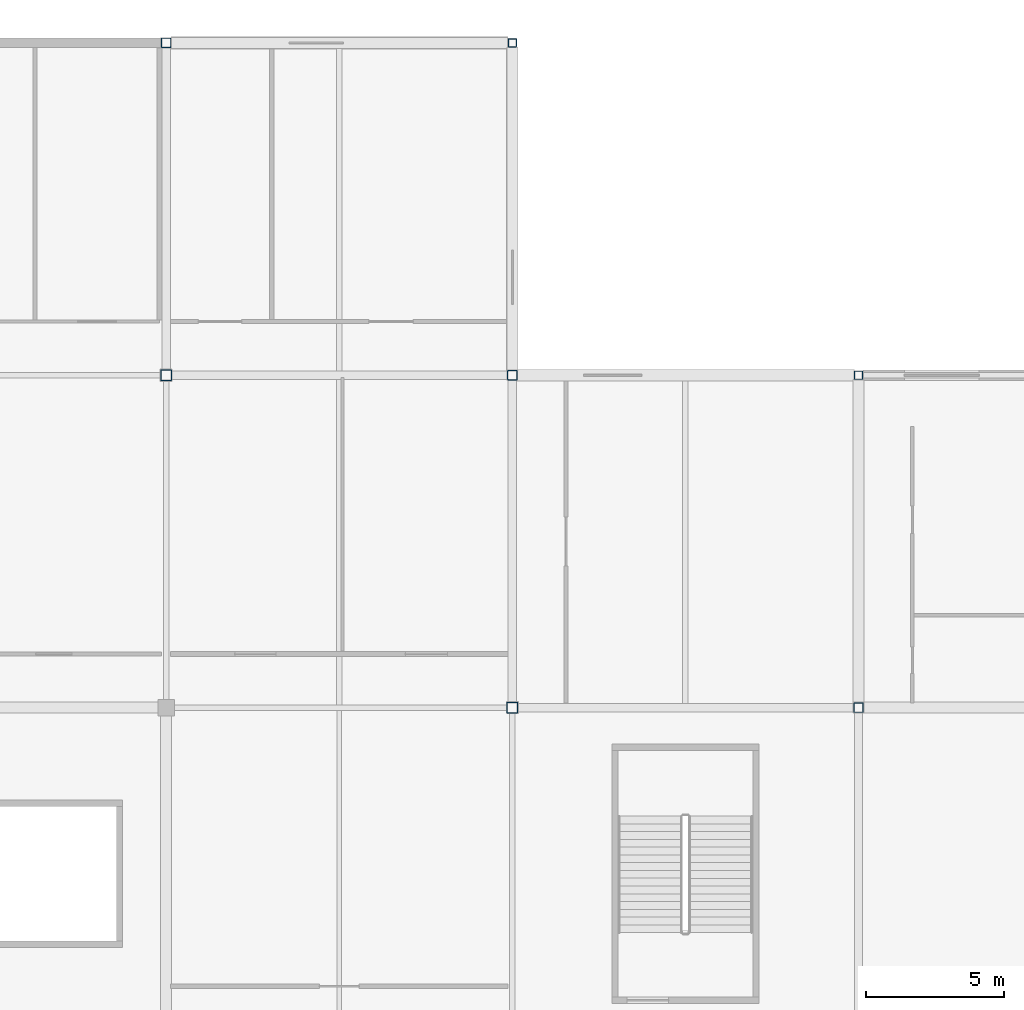
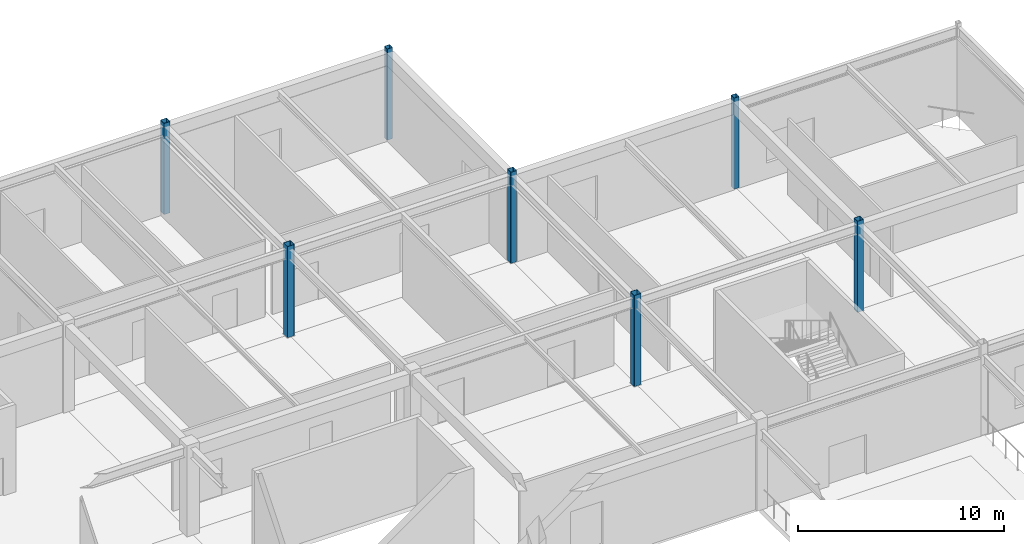
# One storey, part 24 of 105: 7 columns.
"""IFC4 building model written with IfcOpenShell, lengths in metres."""

import ifcopenshell
import ifcopenshell.guid

model = None  # the IFC model being written
_history = None  # IfcOwnerHistory: only IFC2X3 demands one
_inside = {}  # id of a spatial element -> (the spatial element, [elements in it])
_under = {}  # id of a project, library or spatial element -> (it, [spatial elements below it])
_declared = {}  # id of a project -> (the project, [libraries it declares])
_typed = {}  # id of a type object -> (the type object, [elements of that type])
_made_of = {}  # id of a material, layer set ... -> (it, [elements and type objects made of it])


def new_model(schema):
    """Start an empty IFC model of exactly this schema.

    Asked for "IFC4X3", IfcOpenShell would pick the latest addendum, in which some entities
    have other attributes; the version numbers below select the first issue.
    IFC2X3 requires an IfcOwnerHistory on every rooted entity: one is made here for all.
    """
    global model, _history
    if schema == "IFC4X3":
        model = ifcopenshell.file(schema_version=(4, 3, 0, 0))
    else:
        model = ifcopenshell.file(schema=schema)
    _inside.clear()
    _under.clear()
    _declared.clear()
    _typed.clear()
    _made_of.clear()
    _history = None
    if model.schema == "IFC2X3":
        org = make("IfcOrganization", Name="unknown")
        user = make(
            "IfcPersonAndOrganization",
            ThePerson=make("IfcPerson", FamilyName="unknown"),
            TheOrganization=org,
        )
        app = make(
            "IfcApplication",
            ApplicationDeveloper=org,
            Version="unknown",
            ApplicationFullName="unknown",
            ApplicationIdentifier="unknown",
        )
        _history = make(
            "IfcOwnerHistory",
            OwningUser=user,
            OwningApplication=app,
            ChangeAction="ADDED",
            CreationDate=0,
        )
    return model


def make(cls, **values):
    """One entity of the class cls with the attributes given. An attribute that is None is left unset."""
    return model.create_entity(
        cls, **{name: value for name, value in values.items() if value is not None}
    )


def rooted(cls, **values):
    """An entity with a GlobalId (a new one), such as an element, a storey or a relation."""
    return make(cls, GlobalId=ifcopenshell.guid.new(), OwnerHistory=_history, **values)


def si_unit(unit_type, name, prefix=None):
    """IfcSIUnit, for example si_unit("LENGTHUNIT", "METRE", prefix="MILLI")."""
    return make("IfcSIUnit", UnitType=unit_type, Prefix=prefix, Name=name)


def assignment(units):
    """IfcUnitAssignment: the units of a project."""
    return None if units is None else make("IfcUnitAssignment", Units=units)


def point(xyz):
    """IfcCartesianPoint."""
    return None if xyz is None else make("IfcCartesianPoint", Coordinates=xyz)


def direction(xyz):
    """IfcDirection."""
    return None if xyz is None else make("IfcDirection", DirectionRatios=xyz)


def frame(location, z_axis=None, x_axis=None):
    """IfcAxis2Placement3D, a coordinate frame: its origin and axes. An axis left out is left unset."""
    return make(
        "IfcAxis2Placement3D",
        Location=point(location),
        Axis=direction(z_axis),
        RefDirection=direction(x_axis),
    )


def frame_2d(location, x_axis=None):
    """IfcAxis2Placement2D, a coordinate frame in the plane: its origin and x axis."""
    return make(
        "IfcAxis2Placement2D", Location=point(location), RefDirection=direction(x_axis)
    )


def origin():
    """The frame at (0, 0, 0) with its axes left unset."""
    return frame((0.0, 0.0, 0.0))


def origin_2d():
    """The frame at (0, 0) in the plane with its x axis left unset."""
    return frame_2d((0.0, 0.0))


def place(relative_to, where):
    """IfcLocalPlacement: puts the frame where relative to a parent placement (None: the world)."""
    return make(
        "IfcLocalPlacement", PlacementRelTo=relative_to, RelativePlacement=where
    )


def context(
    kind, dimensions, precision=None, world=None, true_north=None, identifier=None
):
    """IfcGeometricRepresentationContext, for example the 3D "Model" context."""
    return make(
        "IfcGeometricRepresentationContext",
        ContextIdentifier=identifier,
        ContextType=kind,
        CoordinateSpaceDimension=dimensions,
        Precision=precision,
        WorldCoordinateSystem=world,
        TrueNorth=true_north,
    )


def subcontext(parent, identifier, kind, view, scale=None):
    """IfcGeometricRepresentationSubContext, for example "Body" below "Model"."""
    return make(
        "IfcGeometricRepresentationSubContext",
        ContextIdentifier=identifier,
        ContextType=kind,
        ParentContext=parent,
        TargetScale=scale,
        TargetView=view,
    )


def project(units=None, contexts=None):
    """IfcProject with its units and contexts."""
    return rooted(
        "IfcProject",
        Name="project",
        RepresentationContexts=contexts,
        UnitsInContext=assignment(units),
    )


def spatial(cls, under=None, at=None, **own):
    """A site, building, storey or space (cls), placed at a placement, below another one or the project."""
    s = rooted(cls, ObjectPlacement=at, **own)
    if under is not None:
        _under.setdefault(under.id(), (under, []))[1].append(s)
    return s


def profile(cls, at=None, kind="AREA", **sizes):
    """A parametric profile (cls). Its sizes go by their IFC names, for example OverallWidth=200.0."""
    return make(cls, ProfileType=kind, Position=at, **sizes)


def hollow_rectangle(**sizes):
    """IfcRectangleHollowProfileDef."""
    return profile("IfcRectangleHollowProfileDef", **sizes)


def extrude(swept, where, along, depth):
    """IfcExtrudedAreaSolid: the profile swept, set in the frame where, extruded along a direction by depth."""
    return make(
        "IfcExtrudedAreaSolid",
        SweptArea=swept,
        Position=where,
        ExtrudedDirection=direction(along),
        Depth=depth,
    )


def shape(context_of_items, identifier, shape_type, items):
    """IfcShapeRepresentation: the items that make up one representation, for example the "Body"."""
    return make(
        "IfcShapeRepresentation",
        ContextOfItems=context_of_items,
        RepresentationIdentifier=identifier,
        RepresentationType=shape_type,
        Items=items,
    )


def material(Name=None, Category=None):
    """IfcMaterial."""
    return make("IfcMaterial", Name=Name, Category=Category)


def material_profile(
    of_material, cross_section, Name=None, Category=None, Priority=None
):
    """IfcMaterialProfile: a cross section and its material."""
    return make(
        "IfcMaterialProfile",
        Name=Name,
        Material=of_material,
        Profile=cross_section,
        Priority=Priority,
        Category=Category,
    )


def profile_set(profiles, Name=None, composite=None):
    """IfcMaterialProfileSet."""
    return make(
        "IfcMaterialProfileSet",
        Name=Name,
        MaterialProfiles=profiles,
        CompositeProfile=composite,
    )


def made_of(thing, what):
    """Note that an element or type object is made of a material, layer set ...; save() writes the relation."""
    if what is not None:
        _made_of.setdefault(what.id(), (what, []))[1].append(thing)
    return thing


def type_object(cls, material=None, **own):
    """A type object (cls), such as IfcWallType, which elements share."""
    return made_of(rooted(cls, **own), material)


def element(
    cls,
    number,
    at=None,
    inside=None,
    cuts=None,
    type_object=None,
    material=None,
    context=None,
    identifier="Body",
    shape_type=None,
    held_by="IfcProductDefinitionShape",
    body=None,
    shapes=None,
    **own,
):
    """One element of the class cls, such as IfcWall. Its Tag is "e" and its number.

    at: its placement. inside: the storey or other place that contains it. cuts: it is an
    opening in that element (IfcRelVoidsElement). A single representation is given by context,
    identifier, shape_type and body (its items); several are given by shapes. held_by: the class
    of the entity that holds the representations. save() writes the other relations.
    """
    e = rooted(cls, Tag="e%d" % number, ObjectPlacement=at, **own)
    if body is not None:
        shapes = [shape(context, identifier, shape_type, body)]
    if shapes is not None:
        e.Representation = make(held_by, Representations=shapes)
    if inside is not None:
        _inside.setdefault(inside.id(), (inside, []))[1].append(e)
    if cuts is not None:
        rooted(
            "IfcRelVoidsElement", RelatingBuildingElement=cuts, RelatedOpeningElement=e
        )
    if type_object is not None:
        _typed.setdefault(type_object.id(), (type_object, []))[1].append(e)
    return made_of(e, material)


def aggregate(whole, parts):
    """IfcRelAggregates: a whole, such as a stair, and the parts it consists of."""
    return rooted("IfcRelAggregates", RelatingObject=whole, RelatedObjects=parts)


def save(model, path):
    """Write the relations noted so far, then the file.

    IfcRelAggregates (storeys below a building ...), IfcRelContainedInSpatialStructure (elements
    in a storey), IfcRelDefinesByType, IfcRelAssociatesMaterial and IfcRelDeclares: one each for
    every whole, place, type object, material and project.
    """
    for whole, parts in _under.values():
        aggregate(whole, parts)
    for where, things in _inside.values():
        rooted(
            "IfcRelContainedInSpatialStructure",
            RelatedElements=things,
            RelatingStructure=where,
        )
    for kind, things in _typed.values():
        rooted("IfcRelDefinesByType", RelatedObjects=things, RelatingType=kind)
    for what, things in _made_of.values():
        rooted("IfcRelAssociatesMaterial", RelatedObjects=things, RelatingMaterial=what)
    for by, libraries in _declared.values():
        rooted("IfcRelDeclares", RelatingContext=by, RelatedDefinitions=libraries)
    model.write(path)


model = new_model("IFC4")

# Units and contexts
model_context = context("Model", 3, precision=1e-05, world=origin(), true_north=direction((0.0, 1.0)))
body_context = subcontext(model_context, "Body", "Model", "MODEL_VIEW")
ifc_project = project(units=[si_unit("LENGTHUNIT", "METRE"), si_unit("AREAUNIT", "SQUARE_METRE"), si_unit("VOLUMEUNIT", "CUBIC_METRE"), si_unit("PLANEANGLEUNIT", "RADIAN"), si_unit("MASSUNIT", "GRAM", prefix="KILO")], contexts=[model_context])

# Site, building, storey
site_placement = place(None, origin())
site = spatial("IfcSite", under=ifc_project, at=site_placement, CompositionType="ELEMENT")
building_placement = place(site_placement, origin())
building = spatial("IfcBuilding", under=site, at=building_placement, Name="Kazenohara Klinker Stadium", CompositionType="ELEMENT")
storey_placement = place(building_placement, frame((0.0, 0.0, 20.39990234375)))
storey = spatial("IfcBuildingStorey", under=building, at=storey_placement, Name="L04", CompositionType="ELEMENT", Elevation=20.39990234375)

# Columns
ifc_material = material(Name="Steel S355", Category="steel")
ifc_material_profile_1 = material_profile(ifc_material, hollow_rectangle(XDim=0.39990234375, YDim=0.39990234375, WallThickness=0.01611328125, InnerFilletRadius=0.01611328125, OuterFilletRadius=0.031982421875, at=origin_2d()), Name="SHS-400x400x16")
ifc_profile_set_1 = profile_set([ifc_material_profile_1], Name="Steel S355")
column_type_1 = type_object("IfcColumnType", Name="COL-ST01", PredefinedType="COLUMN", material=ifc_profile_set_1)
for number, where, z_axis, x_axis, name in (
    (1, (162.5, 156.0, 0.0), (0.0, 0.0, 1.0), (1.0, 0.0, 0.0), "Column SC01 L04 14/P"),
    (2, (175.0, 144.0, 0.0), (0.0, 0.0, 1.0), (1.0, 0.0, 0.0), "Column SC01 L04 15/N"),
):
    element("IfcColumn", number, at=place(storey_placement, frame(where, z_axis=z_axis, x_axis=x_axis)), inside=storey, type_object=column_type_1, Name=name, PredefinedType="COLUMN", context=body_context, shape_type="SweptSolid", body=[
        extrude(hollow_rectangle(XDim=0.39990234375, YDim=0.39990234375, WallThickness=0.01611328125, InnerFilletRadius=0.01611328125, OuterFilletRadius=0.031982421875, at=origin_2d()), origin(), (0.0, 0.0, 1.0), 5.400146484375),
    ])
ifc_material_profile_2 = material_profile(ifc_material, hollow_rectangle(XDim=0.35009765625, YDim=0.35009765625, WallThickness=0.01611328125, InnerFilletRadius=0.01611328125, OuterFilletRadius=0.031982421875, at=origin_2d()), Name="SHS-350x350x16")
ifc_profile_set_2 = profile_set([ifc_material_profile_2], Name="Steel S355")
column_type_2 = type_object("IfcColumnType", Name="COL-ST02", PredefinedType="COLUMN", material=ifc_profile_set_2)
for number, where, z_axis, x_axis, name in (
    (3, (162.5, 168.0, 0.0), (0.0, 0.0, 1.0), (1.0, 0.0, 0.0), "Column SC02 L04 14/Q"),
    (4, (175.0, 156.0, 0.0), (0.0, 0.0, 1.0), (1.0, 0.0, 0.0), "Column SC02 L04 15/P"),
    (5, (187.5, 144.0, 0.0), (0.0, 0.0, 1.0), (1.0, 0.0, 0.0), "Column SC02 L04 16/N"),
):
    element("IfcColumn", number, at=place(storey_placement, frame(where, z_axis=z_axis, x_axis=x_axis)), inside=storey, type_object=column_type_2, Name=name, PredefinedType="COLUMN", context=body_context, shape_type="SweptSolid", body=[
        extrude(hollow_rectangle(XDim=0.35009765625, YDim=0.35009765625, WallThickness=0.01611328125, InnerFilletRadius=0.01611328125, OuterFilletRadius=0.031982421875, at=origin_2d()), origin(), (0.0, 0.0, 1.0), 5.400146484375),
    ])
ifc_material_profile_3 = material_profile(ifc_material, hollow_rectangle(XDim=0.300048828125, YDim=0.300048828125, WallThickness=0.011962890625, InnerFilletRadius=0.011962890625, OuterFilletRadius=0.02392578125, at=origin_2d()), Name="SHS-300x300x12")
ifc_profile_set_3 = profile_set([ifc_material_profile_3], Name="Steel S355")
column_type_3 = type_object("IfcColumnType", Name="COL-ST03", PredefinedType="COLUMN", material=ifc_profile_set_3)
for number, where, z_axis, x_axis, name in (
    (6, (175.0, 168.0, 0.0), (0.0, 0.0, 1.0), (1.0, 0.0, 0.0), "Column SC03 L04 15/Q"),
    (7, (187.5, 156.0, 0.0), (0.0, 0.0, 1.0), (1.0, 0.0, 0.0), "Column SC03 L04 16/P"),
):
    element("IfcColumn", number, at=place(storey_placement, frame(where, z_axis=z_axis, x_axis=x_axis)), inside=storey, type_object=column_type_3, Name=name, PredefinedType="COLUMN", context=body_context, shape_type="SweptSolid", body=[
        extrude(hollow_rectangle(XDim=0.300048828125, YDim=0.300048828125, WallThickness=0.011962890625, InnerFilletRadius=0.011962890625, OuterFilletRadius=0.02392578125, at=origin_2d()), origin(), (0.0, 0.0, 1.0), 5.400146484375),
    ])

save(model, "model.ifc")
